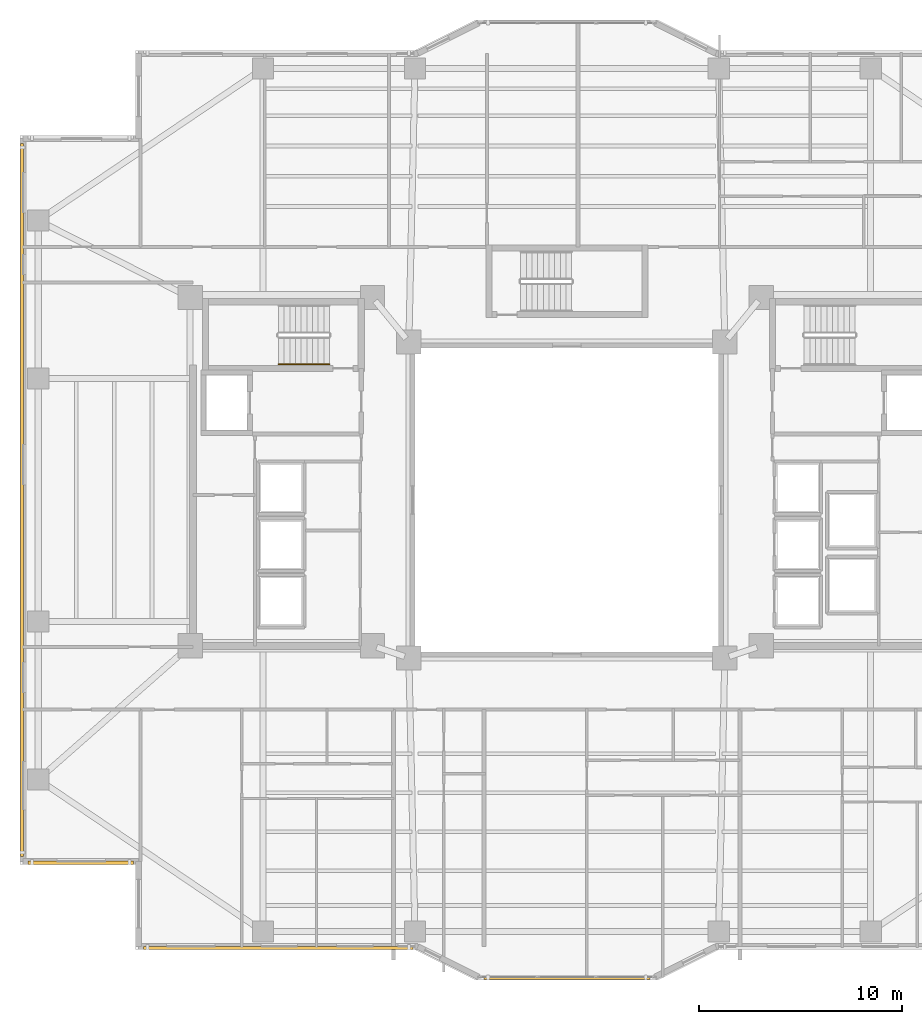
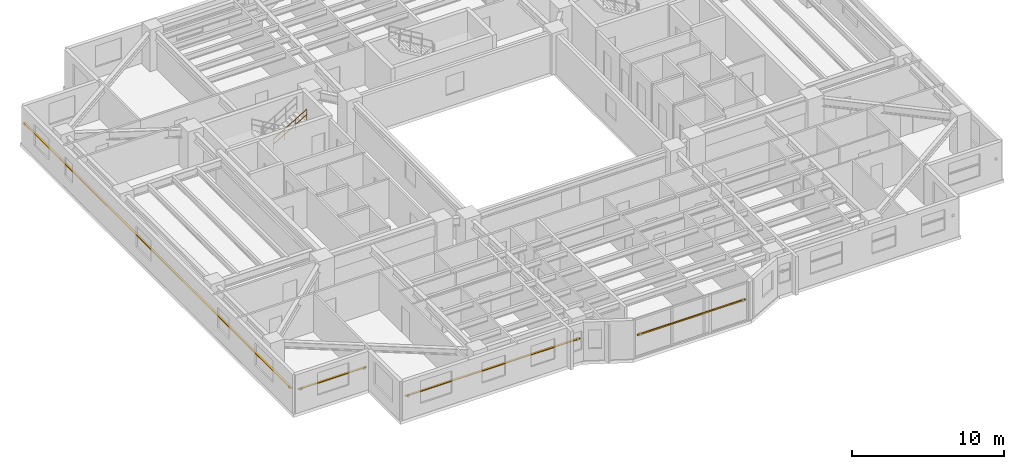
# One storey, part 14 of 18: 4 shading devices, 1 railing.
"""IFC4 building model written with IfcOpenShell, lengths in metres."""

import ifcopenshell
import ifcopenshell.guid

model = None  # the IFC model being written
_history = None  # IfcOwnerHistory: only IFC2X3 demands one
_inside = {}  # id of a spatial element -> (the spatial element, [elements in it])
_under = {}  # id of a project, library or spatial element -> (it, [spatial elements below it])
_declared = {}  # id of a project -> (the project, [libraries it declares])
_typed = {}  # id of a type object -> (the type object, [elements of that type])
_made_of = {}  # id of a material, layer set ... -> (it, [elements and type objects made of it])


def new_model(schema):
    """Start an empty IFC model of exactly this schema.

    Asked for "IFC4X3", IfcOpenShell would pick the latest addendum, in which some entities
    have other attributes; the version numbers below select the first issue.
    IFC2X3 requires an IfcOwnerHistory on every rooted entity: one is made here for all.
    """
    global model, _history
    if schema == "IFC4X3":
        model = ifcopenshell.file(schema_version=(4, 3, 0, 0))
    else:
        model = ifcopenshell.file(schema=schema)
    _inside.clear()
    _under.clear()
    _declared.clear()
    _typed.clear()
    _made_of.clear()
    _history = None
    if model.schema == "IFC2X3":
        org = make("IfcOrganization", Name="unknown")
        user = make(
            "IfcPersonAndOrganization",
            ThePerson=make("IfcPerson", FamilyName="unknown"),
            TheOrganization=org,
        )
        app = make(
            "IfcApplication",
            ApplicationDeveloper=org,
            Version="unknown",
            ApplicationFullName="unknown",
            ApplicationIdentifier="unknown",
        )
        _history = make(
            "IfcOwnerHistory",
            OwningUser=user,
            OwningApplication=app,
            ChangeAction="ADDED",
            CreationDate=0,
        )
    return model


def make(cls, **values):
    """One entity of the class cls with the attributes given. An attribute that is None is left unset."""
    return model.create_entity(
        cls, **{name: value for name, value in values.items() if value is not None}
    )


def rooted(cls, **values):
    """An entity with a GlobalId (a new one), such as an element, a storey or a relation."""
    return make(cls, GlobalId=ifcopenshell.guid.new(), OwnerHistory=_history, **values)


def si_unit(unit_type, name, prefix=None):
    """IfcSIUnit, for example si_unit("LENGTHUNIT", "METRE", prefix="MILLI")."""
    return make("IfcSIUnit", UnitType=unit_type, Prefix=prefix, Name=name)


def assignment(units):
    """IfcUnitAssignment: the units of a project."""
    return None if units is None else make("IfcUnitAssignment", Units=units)


def point(xyz):
    """IfcCartesianPoint."""
    return None if xyz is None else make("IfcCartesianPoint", Coordinates=xyz)


def direction(xyz):
    """IfcDirection."""
    return None if xyz is None else make("IfcDirection", DirectionRatios=xyz)


def frame(location, z_axis=None, x_axis=None):
    """IfcAxis2Placement3D, a coordinate frame: its origin and axes. An axis left out is left unset."""
    return make(
        "IfcAxis2Placement3D",
        Location=point(location),
        Axis=direction(z_axis),
        RefDirection=direction(x_axis),
    )


def frame_2d(location, x_axis=None):
    """IfcAxis2Placement2D, a coordinate frame in the plane: its origin and x axis."""
    return make(
        "IfcAxis2Placement2D", Location=point(location), RefDirection=direction(x_axis)
    )


def origin():
    """The frame at (0, 0, 0) with its axes left unset."""
    return frame((0.0, 0.0, 0.0))


def origin_2d():
    """The frame at (0, 0) in the plane with its x axis left unset."""
    return frame_2d((0.0, 0.0))


def place(relative_to, where):
    """IfcLocalPlacement: puts the frame where relative to a parent placement (None: the world)."""
    return make(
        "IfcLocalPlacement", PlacementRelTo=relative_to, RelativePlacement=where
    )


def context(
    kind, dimensions, precision=None, world=None, true_north=None, identifier=None
):
    """IfcGeometricRepresentationContext, for example the 3D "Model" context."""
    return make(
        "IfcGeometricRepresentationContext",
        ContextIdentifier=identifier,
        ContextType=kind,
        CoordinateSpaceDimension=dimensions,
        Precision=precision,
        WorldCoordinateSystem=world,
        TrueNorth=true_north,
    )


def subcontext(parent, identifier, kind, view, scale=None):
    """IfcGeometricRepresentationSubContext, for example "Body" below "Model"."""
    return make(
        "IfcGeometricRepresentationSubContext",
        ContextIdentifier=identifier,
        ContextType=kind,
        ParentContext=parent,
        TargetScale=scale,
        TargetView=view,
    )


def project(units=None, contexts=None):
    """IfcProject with its units and contexts."""
    return rooted(
        "IfcProject",
        Name="project",
        RepresentationContexts=contexts,
        UnitsInContext=assignment(units),
    )


def spatial(cls, under=None, at=None, **own):
    """A site, building, storey or space (cls), placed at a placement, below another one or the project."""
    s = rooted(cls, ObjectPlacement=at, **own)
    if under is not None:
        _under.setdefault(under.id(), (under, []))[1].append(s)
    return s


def profile(cls, at=None, kind="AREA", **sizes):
    """A parametric profile (cls). Its sizes go by their IFC names, for example OverallWidth=200.0."""
    return make(cls, ProfileType=kind, Position=at, **sizes)


def rectangle(**sizes):
    """IfcRectangleProfileDef."""
    return profile("IfcRectangleProfileDef", **sizes)


def circle(**sizes):
    """IfcCircleProfileDef."""
    return profile("IfcCircleProfileDef", **sizes)


def extrude(swept, where, along, depth):
    """IfcExtrudedAreaSolid: the profile swept, set in the frame where, extruded along a direction by depth."""
    return make(
        "IfcExtrudedAreaSolid",
        SweptArea=swept,
        Position=where,
        ExtrudedDirection=direction(along),
        Depth=depth,
    )


def shape(context_of_items, identifier, shape_type, items):
    """IfcShapeRepresentation: the items that make up one representation, for example the "Body"."""
    return make(
        "IfcShapeRepresentation",
        ContextOfItems=context_of_items,
        RepresentationIdentifier=identifier,
        RepresentationType=shape_type,
        Items=items,
    )


def material(Name=None, Category=None):
    """IfcMaterial."""
    return make("IfcMaterial", Name=Name, Category=Category)


def material_profile(
    of_material, cross_section, Name=None, Category=None, Priority=None
):
    """IfcMaterialProfile: a cross section and its material."""
    return make(
        "IfcMaterialProfile",
        Name=Name,
        Material=of_material,
        Profile=cross_section,
        Priority=Priority,
        Category=Category,
    )


def profile_set(profiles, Name=None, composite=None):
    """IfcMaterialProfileSet."""
    return make(
        "IfcMaterialProfileSet",
        Name=Name,
        MaterialProfiles=profiles,
        CompositeProfile=composite,
    )


def made_of(thing, what):
    """Note that an element or type object is made of a material, layer set ...; save() writes the relation."""
    if what is not None:
        _made_of.setdefault(what.id(), (what, []))[1].append(thing)
    return thing


def type_object(cls, material=None, **own):
    """A type object (cls), such as IfcWallType, which elements share."""
    return made_of(rooted(cls, **own), material)


def element(
    cls,
    number,
    at=None,
    inside=None,
    cuts=None,
    type_object=None,
    material=None,
    context=None,
    identifier="Body",
    shape_type=None,
    held_by="IfcProductDefinitionShape",
    body=None,
    shapes=None,
    **own,
):
    """One element of the class cls, such as IfcWall. Its Tag is "e" and its number.

    at: its placement. inside: the storey or other place that contains it. cuts: it is an
    opening in that element (IfcRelVoidsElement). A single representation is given by context,
    identifier, shape_type and body (its items); several are given by shapes. held_by: the class
    of the entity that holds the representations. save() writes the other relations.
    """
    e = rooted(cls, Tag="e%d" % number, ObjectPlacement=at, **own)
    if body is not None:
        shapes = [shape(context, identifier, shape_type, body)]
    if shapes is not None:
        e.Representation = make(held_by, Representations=shapes)
    if inside is not None:
        _inside.setdefault(inside.id(), (inside, []))[1].append(e)
    if cuts is not None:
        rooted(
            "IfcRelVoidsElement", RelatingBuildingElement=cuts, RelatedOpeningElement=e
        )
    if type_object is not None:
        _typed.setdefault(type_object.id(), (type_object, []))[1].append(e)
    return made_of(e, material)


def aggregate(whole, parts):
    """IfcRelAggregates: a whole, such as a stair, and the parts it consists of."""
    return rooted("IfcRelAggregates", RelatingObject=whole, RelatedObjects=parts)


def save(model, path):
    """Write the relations noted so far, then the file.

    IfcRelAggregates (storeys below a building ...), IfcRelContainedInSpatialStructure (elements
    in a storey), IfcRelDefinesByType, IfcRelAssociatesMaterial and IfcRelDeclares: one each for
    every whole, place, type object, material and project.
    """
    for whole, parts in _under.values():
        aggregate(whole, parts)
    for where, things in _inside.values():
        rooted(
            "IfcRelContainedInSpatialStructure",
            RelatedElements=things,
            RelatingStructure=where,
        )
    for kind, things in _typed.values():
        rooted("IfcRelDefinesByType", RelatedObjects=things, RelatingType=kind)
    for what, things in _made_of.values():
        rooted("IfcRelAssociatesMaterial", RelatedObjects=things, RelatingMaterial=what)
    for by, libraries in _declared.values():
        rooted("IfcRelDeclares", RelatingContext=by, RelatedDefinitions=libraries)
    model.write(path)


model = new_model("IFC4")

# Units and contexts
model_context = context("Model", 3, precision=1e-05, world=origin(), true_north=direction((0.0, 1.0)))
body_context = subcontext(model_context, "Body", "Model", "MODEL_VIEW")
ifc_project = project(units=[si_unit("LENGTHUNIT", "METRE"), si_unit("AREAUNIT", "SQUARE_METRE"), si_unit("VOLUMEUNIT", "CUBIC_METRE"), si_unit("PLANEANGLEUNIT", "RADIAN"), si_unit("MASSUNIT", "GRAM", prefix="KILO")], contexts=[model_context])

# Site, building, storey
site_placement = place(None, origin())
site = spatial("IfcSite", under=ifc_project, at=site_placement, CompositionType="ELEMENT")
building_placement = place(site_placement, origin())
building = spatial("IfcBuilding", under=site, at=building_placement, Name="Tarnavaz Court Tower", CompositionType="ELEMENT")
storey_placement = place(building_placement, frame((0.0, 0.0, 85.0)))
storey = spatial("IfcBuildingStorey", under=building, at=storey_placement, Name="L22", CompositionType="ELEMENT", Elevation=85.0)

# Railing
ifc_material_1 = material(Name="Brushed Stainless Steel", Category="steel")
railing_type = type_object("IfcRailingType", Name="RL-HANDRAIL-900", PredefinedType="HANDRAIL", material=ifc_material_1)
railing_placement = place(storey_placement, frame((-14.239990234375, 6.699951171875, 1.842529296875)))
element("IfcRailing", 1, at=railing_placement, inside=storey, type_object=railing_type, Name="L22 ST-W1 stair handrail 2", PredefinedType="HANDRAIL", context=body_context, shape_type="SweptSolid", body=[
    extrude(circle(Radius=0.02392578125, at=origin_2d()), frame((0.0, 0.0, 0.8759765625), z_axis=(0.858159760407, 0.0, 0.513382728203), x_axis=(0.0, 1.0, 0.0)), (0.0, 0.0, 1.0), 2.9365234375),
    extrude(circle(Radius=0.02392578125, at=origin_2d()), frame((0.0, 0.0, 0.449951171875), z_axis=(0.858159760407, 0.0, 0.513382728203), x_axis=(0.0, 1.0, 0.0)), (0.0, 0.0, 1.0), 2.9365234375),
    extrude(circle(Radius=0.02099609375, at=origin_2d()), origin(), (0.0, 0.0, 1.0), 0.851806640625),
    extrude(circle(Radius=0.02099609375, at=origin_2d()), frame((0.840087890625, 0.0, 0.50244140625)), (0.0, 0.0, 1.0), 0.851806640625),
    extrude(circle(Radius=0.02099609375, at=origin_2d()), frame((1.679931640625, 0.0, 1.005126953125)), (0.0, 0.0, 1.0), 0.851806640625),
    extrude(circle(Radius=0.02099609375, at=origin_2d()), frame((2.52001953125, 0.0, 1.507568359375)), (0.0, 0.0, 1.0), 0.851806640625),
])

# Shading devices
ifc_material_2 = material(Name="Kiln-Fired Khorasan Terracotta Ceramic", Category="masonry")
ifc_material_profile_1 = material_profile(ifc_material_2, rectangle(XDim=0.1201171875, YDim=0.06005859375, at=origin_2d()), Name="TC BAGUETTE 120X60")
ifc_profile_set_1 = profile_set([ifc_material_profile_1], Name="Kiln-Fired Khorasan Terracotta Ceramic")
shading_device_type_1 = type_object("IfcShadingDeviceType", Name="SD-BAG-120", PredefinedType="USERDEFINED", material=ifc_profile_set_1)
shading_device_1_placement = place(storey_placement, frame((4.10009765625, -23.610107421875, 1.800048828125), z_axis=(-1.0, 0.0, 0.0), x_axis=(0.0, -1.0, 0.0)))
element("IfcShadingDevice", 2, at=shading_device_1_placement, inside=storey, type_object=shading_device_type_1, Name="L22 Terracotta Baguette Screen PBG17", ObjectType="BAGUETTE", PredefinedType="USERDEFINED", context=body_context, shape_type="SweptSolid", body=[
    extrude(rectangle(XDim=0.1201171875, YDim=0.06005859375, at=origin_2d()), origin(), (0.0, 0.0, 1.0), 8.2001953125),
])
ifc_material_profile_2 = material_profile(ifc_material_2, rectangle(XDim=0.14990234375, YDim=0.06494140625, at=origin_2d()), Name="TC BAGUETTE 150X65")
ifc_profile_set_2 = profile_set([ifc_material_profile_2], Name="Kiln-Fired Khorasan Terracotta Ceramic")
shading_device_type_2 = type_object("IfcShadingDeviceType", Name="SD-BAG-150", PredefinedType="USERDEFINED", material=ifc_profile_set_2)
shading_device_2_placement = place(storey_placement, frame((-21.39990234375, -17.909912109375, 1.85009765625), z_axis=(-1.0, 0.0, 0.0), x_axis=(0.0, -1.0, 0.0)))
element("IfcShadingDevice", 3, at=shading_device_2_placement, inside=storey, type_object=shading_device_type_2, Name="L22 Terracotta Baguette Screen FBG01", ObjectType="BAGUETTE", PredefinedType="USERDEFINED", context=body_context, shape_type="SweptSolid", body=[
    extrude(rectangle(XDim=0.14990234375, YDim=0.06494140625, at=origin_2d()), origin(), (0.0, 0.0, 1.0), 5.2001953125),
])
shading_device_3_placement = place(storey_placement, frame((-26.909912109375, -17.60009765625, 1.85009765625), z_axis=(0.0, 1.0, 0.0), x_axis=(-1.0, 0.0, 0.0)))
element("IfcShadingDevice", 4, at=shading_device_3_placement, inside=storey, type_object=shading_device_type_2, Name="L22 Terracotta Baguette Screen FBG02", ObjectType="BAGUETTE", PredefinedType="USERDEFINED", context=body_context, shape_type="SweptSolid", body=[
    extrude(rectangle(XDim=0.14990234375, YDim=0.06494140625, at=origin_2d()), origin(), (0.0, 0.0, 1.0), 35.2001953125),
])
shading_device_4_placement = place(storey_placement, frame((-7.60009765625, -22.110107421875, 1.85009765625), z_axis=(-1.0, 0.0, 0.0), x_axis=(0.0, -1.0, 0.0)))
element("IfcShadingDevice", 5, at=shading_device_4_placement, inside=storey, type_object=shading_device_type_2, Name="L22 Terracotta Baguette Screen FBG19", ObjectType="BAGUETTE", PredefinedType="USERDEFINED", context=body_context, shape_type="SweptSolid", body=[
    extrude(rectangle(XDim=0.14990234375, YDim=0.06494140625, at=origin_2d()), origin(), (0.0, 0.0, 1.0), 13.2998046875),
])

save(model, "model.ifc")
